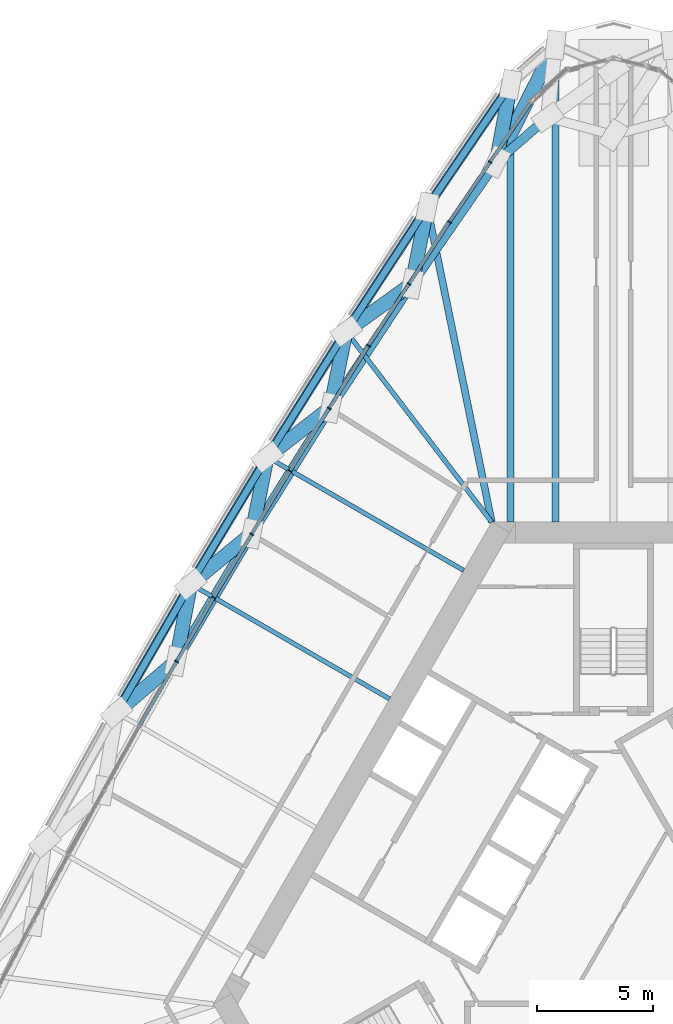
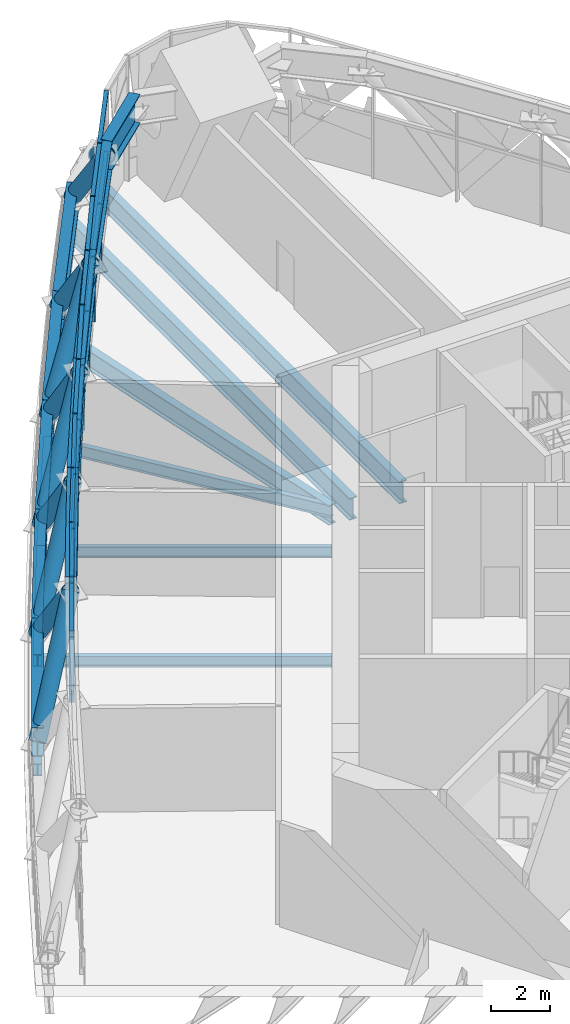
# One storey, part 7 of 43: 49 members, 11 beams, 1 element without a shape of its own.
"""IFC4 building model written with IfcOpenShell, lengths in metres."""

from ifc_helpers import new_model, si_unit, direction, frame, origin, origin_2d, place, context, subcontext, project, spatial, rectangle, hollow_circle, i_section, extrude, material, material_profile, profile_set, type_object, element, aggregate, save


model = new_model("IFC4")

# Units and contexts
model_context = context("Model", 3, precision=1e-05, world=origin(), true_north=direction((0.0, 1.0)))
body_context = subcontext(model_context, "Body", "Model", "MODEL_VIEW")
ifc_project = project(units=[si_unit("LENGTHUNIT", "METRE"), si_unit("AREAUNIT", "SQUARE_METRE"), si_unit("VOLUMEUNIT", "CUBIC_METRE"), si_unit("PLANEANGLEUNIT", "RADIAN"), si_unit("MASSUNIT", "GRAM", prefix="KILO")], contexts=[model_context])

# Site, building, storey
site_placement = place(None, origin())
site = spatial("IfcSite", under=ifc_project, at=site_placement, CompositionType="ELEMENT")
building_placement = place(site_placement, origin())
building = spatial("IfcBuilding", under=site, at=building_placement, Name="Mestral Congress Tower", CompositionType="ELEMENT")
storey_placement = place(building_placement, frame((0.0, 0.0, 78.300048828125)))
storey = spatial("IfcBuildingStorey", under=building, at=storey_placement, Name="L18", CompositionType="ELEMENT", Elevation=78.300048828125)

# Members
ifc_material_1 = material(Name="Steel S355", Category="steel")
ifc_material_profile_1 = material_profile(ifc_material_1, i_section(OverallWidth=0.39990234375, OverallDepth=1.199951171875, WebThickness=0.02001953125, FlangeThickness=0.0400390625, FilletRadius=0.010009765625, at=origin_2d()), Name="WPG 1200")
ifc_profile_set_1 = profile_set([ifc_material_profile_1], Name="Steel S355")
member_type_1 = type_object("IfcMemberType", Name="Belt chord WPG 1200 S355", PredefinedType="CHORD", material=ifc_profile_set_1)
member_1_placement = place(storey_placement, frame((-4.43603515625, 35.7783203125, 0.599853515625), z_axis=(-0.562597971021, -0.826730622998, 0.0), x_axis=(0.826730622998, -0.562597971021, 0.0)))
element("IfcMember", 1, at=member_1_placement, inside=storey, type_object=member_type_1, Name="MB-L18-BC1-W00", PredefinedType="CHORD", context=body_context, shape_type="SweptSolid", body=[
    extrude(i_section(OverallWidth=0.39990234375, OverallDepth=1.199951171875, WebThickness=0.02001953125, FlangeThickness=0.0400390625, FilletRadius=0.010009765625, at=origin_2d()), origin(), (0.0, 0.0, 1.0), 6.39990234375),
])
member_2_placement = place(storey_placement, frame((-8.03662109375, 30.4873046875, 0.599853515625), z_axis=(-0.547248335203, -0.836970285982, 0.0), x_axis=(0.836970285982, -0.547248335203, 0.0)))
element("IfcMember", 2, at=member_2_placement, inside=storey, type_object=member_type_1, Name="MB-L18-BC1-W01", PredefinedType="CHORD", context=body_context, shape_type="SweptSolid", body=[
    extrude(i_section(OverallWidth=0.39990234375, OverallDepth=1.199951171875, WebThickness=0.02001953125, FlangeThickness=0.0400390625, FilletRadius=0.010009765625, at=origin_2d()), origin(), (0.0, 0.0, 1.0), 6.400146484375),
])
for number, where, z_axis, x_axis, name in (
    (3, (-11.5390625, 25.130615234375, 0.599853515625), (-0.53166441358, -0.846955105855, 0.0), (0.846955105855, -0.53166441358, 0.0), "MB-L18-BC1-W02"),
    (4, (-14.941650390625, 19.710205078125, 0.599853515625), (-0.515908763091, -0.85664353623, 0.0), (0.85664353623, -0.515908763091, 0.0), "MB-L18-BC1-W03"),
    (5, (-18.243408203125, 14.227783203125, 0.599853515625), (-0.499999833739, -0.866025499775, 0.0), (0.866025499775, -0.499999833739, 0.0), "MB-L18-BC1-W04"),
):
    element("IfcMember", number, at=place(storey_placement, frame(where, z_axis=z_axis, x_axis=x_axis)), inside=storey, type_object=member_type_1, Name=name, PredefinedType="CHORD", context=body_context, shape_type="SweptSolid", body=[
        extrude(i_section(OverallWidth=0.39990234375, OverallDepth=1.199951171875, WebThickness=0.02001953125, FlangeThickness=0.0400390625, FilletRadius=0.010009765625, at=origin_2d()), origin(), (0.0, 0.0, 1.0), 6.39990234375),
    ])
member_3_placement = place(storey_placement, frame((-2.845703125, 34.35693359375, 4.550048828125), z_axis=(-0.754932095534, -0.6558029667, 0.0), x_axis=(0.6558029667, -0.754932095534, 0.0)))
element("IfcMember", 6, at=member_3_placement, inside=storey, type_object=member_type_1, Name="MB-L18-TC1-N3", PredefinedType="CHORD", context=body_context, shape_type="SweptSolid", body=[
    extrude(i_section(OverallWidth=0.39990234375, OverallDepth=1.199951171875, WebThickness=0.02001953125, FlangeThickness=0.0400390625, FilletRadius=0.010009765625, at=origin_2d()), origin(), (0.0, 0.0, 1.0), 2.92822265625),
])
for number, where, z_axis, x_axis, name in (
    (7, (-5.056396484375, 32.4365234375, 4.550048828125), (-0.569132611813, -0.822245748041, 0.0), (0.822245748041, -0.569132611813, 0.0), "MB-L18-TC1-W00"),
    (8, (-8.69873046875, 27.17431640625, 4.550048828125), (-0.549751718, -0.835328108324, 0.0), (0.835328108324, -0.549751718, 0.0), "MB-L18-TC1-W01"),
    (9, (-12.217041015625, 21.828369140625, 4.550048828125), (-0.530067519081, -0.847955438225, 0.0), (0.847955438225, -0.530067519081, 0.0), "MB-L18-TC1-W02"),
    (10, (-15.609375, 16.401611328125, 4.550048828125), (-0.510062734342, -0.860137202448, 0.0), (0.860137202448, -0.510062734342, 0.0), "MB-L18-TC1-W03"),
):
    element("IfcMember", number, at=place(storey_placement, frame(where, z_axis=z_axis, x_axis=x_axis)), inside=storey, type_object=member_type_1, Name=name, PredefinedType="CHORD", context=body_context, shape_type="SweptSolid", body=[
        extrude(i_section(OverallWidth=0.39990234375, OverallDepth=1.199951171875, WebThickness=0.02001953125, FlangeThickness=0.0400390625, FilletRadius=0.010009765625, at=origin_2d()), origin(), (0.0, 0.0, 1.0), 6.39990234375),
    ])
ifc_material_profile_2 = material_profile(ifc_material_1, hollow_circle(Radius=0.304931640625, WallThickness=0.02490234375, at=origin_2d()), Name="CHS 610x25")
ifc_profile_set_2 = profile_set([ifc_material_profile_2], Name="Steel S355")
member_type_2 = type_object("IfcMemberType", Name="Belt diagonal CHS 610x25 S355", PredefinedType="BRACE", material=ifc_profile_set_2)
member_4_placement = place(storey_placement, frame((-2.503173828125, 37.483642578125, 0.599853515625), z_axis=(-0.370085128824, -0.731571033484, 0.572573855839), x_axis=(0.892319603594, -0.451404170386, 0.0)))
element("IfcMember", 11, at=member_4_placement, inside=storey, type_object=member_type_2, Name="MD-L18-BD1-N3.W00", PredefinedType="BRACE", context=body_context, shape_type="SweptSolid", body=[
    extrude(hollow_circle(Radius=0.304931640625, WallThickness=0.02490234375, at=origin_2d()), origin(), (0.0, 0.0, 1.0), 6.89892578125),
])
member_5_placement = place(storey_placement, frame((-4.43603515625, 35.7783203125, 0.599853515625), z_axis=(-0.119044089764, -0.641273317861, 0.758021791568), x_axis=(0.983202365215, -0.182518790913, 0.0)))
element("IfcMember", 12, at=member_5_placement, inside=storey, type_object=member_type_2, Name="MD-L18-BD1-W00.W00", PredefinedType="BRACE", context=body_context, shape_type="SweptSolid", body=[
    extrude(hollow_circle(Radius=0.304931640625, WallThickness=0.02490234375, at=origin_2d()), origin(), (0.0, 0.0, 1.0), 5.211181640625),
])
member_6_placement = place(storey_placement, frame((-8.03662109375, 30.4873046875, 0.599853515625), z_axis=(-0.127379793677, -0.637368657892, 0.759957618621), x_axis=(0.980608459293, -0.195977165925, 0.0)))
element("IfcMember", 13, at=member_6_placement, inside=storey, type_object=member_type_2, Name="MD-L18-BD1-W01.W01", PredefinedType="BRACE", context=body_context, shape_type="SweptSolid", body=[
    extrude(hollow_circle(Radius=0.304931640625, WallThickness=0.02490234375, at=origin_2d()), origin(), (0.0, 0.0, 1.0), 5.197998046875),
])
member_7_placement = place(storey_placement, frame((-11.5390625, 25.130615234375, 0.599853515625), z_axis=(0.538232858456, 0.387274132554, 0.748548018722), x_axis=(-0.584052889906, 0.81171560401, 0.0)))
element("IfcMember", 14, at=member_7_placement, inside=storey, type_object=member_type_2, Name="MD-L18-BD1-W02.W01", PredefinedType="BRACE", context=body_context, shape_type="SweptSolid", body=[
    extrude(hollow_circle(Radius=0.304931640625, WallThickness=0.02490234375, at=origin_2d()), origin(), (0.0, 0.0, 1.0), 5.277099609375),
])
member_8_placement = place(storey_placement, frame((-11.5390625, 25.130615234375, 0.599853515625), z_axis=(-0.130553138741, -0.635888280377, 0.76065890703), x_axis=(0.979567960434, -0.201113427926, 0.0)))
element("IfcMember", 15, at=member_8_placement, inside=storey, type_object=member_type_2, Name="MD-L18-BD1-W02.W02", PredefinedType="BRACE", context=body_context, shape_type="SweptSolid", body=[
    extrude(hollow_circle(Radius=0.304931640625, WallThickness=0.02490234375, at=origin_2d()), origin(), (0.0, 0.0, 1.0), 5.193115234375),
])
member_9_placement = place(storey_placement, frame((-14.941650390625, 19.710205078125, 0.599853515625), z_axis=(0.51942892628, 0.403814100753, 0.753078855484), x_axis=(-0.613764285446, 0.789489329827, 0.0)))
element("IfcMember", 16, at=member_9_placement, inside=storey, type_object=member_type_2, Name="MD-L18-BD1-W03.W02", PredefinedType="BRACE", context=body_context, shape_type="SweptSolid", body=[
    extrude(hollow_circle(Radius=0.304931640625, WallThickness=0.02490234375, at=origin_2d()), origin(), (0.0, 0.0, 1.0), 5.245361328125),
])
member_10_placement = place(storey_placement, frame((-14.941650390625, 19.710205078125, 0.599853515625), z_axis=(-0.128511534315, -0.636778176612, 0.760262020187), x_axis=(0.980236999269, -0.197826755682, 0.0)))
element("IfcMember", 17, at=member_10_placement, inside=storey, type_object=member_type_2, Name="MD-L18-BD1-W03.W03", PredefinedType="BRACE", context=body_context, shape_type="SweptSolid", body=[
    extrude(hollow_circle(Radius=0.304931640625, WallThickness=0.02490234375, at=origin_2d()), origin(), (0.0, 0.0, 1.0), 5.19580078125),
])
member_11_placement = place(storey_placement, frame((-18.243408203125, 14.227783203125, 0.599853515625), z_axis=(0.504425427225, 0.416294745019, 0.756474502966), x_axis=(-0.636513742391, 0.771265360137, 0.0)))
element("IfcMember", 18, at=member_11_placement, inside=storey, type_object=member_type_2, Name="MD-L18-BD1-W04.W03", PredefinedType="BRACE", context=body_context, shape_type="SweptSolid", body=[
    extrude(hollow_circle(Radius=0.304931640625, WallThickness=0.02490234375, at=origin_2d()), origin(), (0.0, 0.0, 1.0), 5.221923828125),
])
for number, where, z_axis, x_axis, name in (
    (19, (-18.243408203125, 14.227783203125, 0.599853515625), (-0.12109689042, -0.639909362079, 0.758848833072), (0.982561001482, -0.185940523734, 0.0), "MD-L18-BD1-W04.W04"),
    (20, (-21.443359375, 8.685302734375, 0.599853515625), (0.493628286394, 0.424825179873, 0.758850895379), (-0.652308309705, 0.757953738093, 0.0), "MD-L18-BD1-W05.W04"),
):
    element("IfcMember", number, at=place(storey_placement, frame(where, z_axis=z_axis, x_axis=x_axis)), inside=storey, type_object=member_type_2, Name=name, PredefinedType="BRACE", context=body_context, shape_type="SweptSolid", body=[
        extrude(hollow_circle(Radius=0.304931640625, WallThickness=0.02490234375, at=origin_2d()), origin(), (0.0, 0.0, 1.0), 5.20556640625),
    ])

# Curtain wall, members
ifc_material_2 = material(Name="Clear low-emissivity double glazing", Category="glass")
curtain_wall_type = type_object("IfcCurtainWallType", Name="Facade refuge band screen", PredefinedType="USERDEFINED", material=ifc_material_2)
curtain_wall_placement = place(storey_placement, origin())
curtain_wall = element("IfcCurtainWall", 21, at=curtain_wall_placement, inside=storey, type_object=curtain_wall_type, Name="Facade refuge band screen face 3", ObjectType="CURTAIN WALL", PredefinedType="USERDEFINED")
ifc_material_3 = material(Name="Anodised aluminium", Category="aluminium")
ifc_material_profile_3 = material_profile(ifc_material_3, rectangle(XDim=0.179931640625, YDim=0.06005859375, at=origin_2d()), Name="CW3 mullion 180 x 60")
ifc_profile_set_3 = profile_set([ifc_material_profile_3], Name="Anodised aluminium")
member_type_3 = type_object("IfcMemberType", Name="Facade refuge band screen mullion", PredefinedType="MULLION", material=ifc_profile_set_3)
member_12_placement = place(storey_placement, frame((-5.3232421875, 32.430419921875, 0.0), z_axis=(0.0, 0.0, 1.0), x_axis=(-0.826719388137, 0.562614480153, 0.0)))
member_12 = element("IfcMember", 22, at=member_12_placement, type_object=member_type_3, Name="Facade refuge band screen mullion", PredefinedType="MULLION", context=body_context, shape_type="SweptSolid", body=[
    extrude(rectangle(XDim=0.179931640625, YDim=0.06005859375, at=origin_2d()), origin(), (0.0, 0.0, 1.0), 5.14990234375),
])
member_13_placement = place(storey_placement, frame((-7.080078125, 29.84912109375, 0.0), z_axis=(0.0, 0.0, 1.0), x_axis=(-0.831884391755, 0.554948969505, 0.0)))
member_13 = element("IfcMember", 23, at=member_13_placement, type_object=member_type_3, Name="Facade refuge band screen mullion", PredefinedType="MULLION", context=body_context, shape_type="SweptSolid", body=[
    extrude(rectangle(XDim=0.179931640625, YDim=0.06005859375, at=origin_2d()), origin(), (0.0, 0.0, 1.0), 5.14990234375),
])
member_14_placement = place(storey_placement, frame((-8.8251953125, 27.1796875, 0.0), z_axis=(0.0, 0.0, 1.0), x_axis=(-0.836978321403, 0.547236045507, 0.0)))
member_14 = element("IfcMember", 24, at=member_14_placement, type_object=member_type_3, Name="Facade refuge band screen mullion", PredefinedType="MULLION", context=body_context, shape_type="SweptSolid", body=[
    extrude(rectangle(XDim=0.179931640625, YDim=0.06005859375, at=origin_2d()), origin(), (0.0, 0.0, 1.0), 5.14990234375),
])
member_15_placement = place(storey_placement, frame((-10.570556640625, 24.51025390625, 0.0), z_axis=(0.0, 0.0, 1.0), x_axis=(-0.84200074187, 0.539476367129, 0.0)))
member_15 = element("IfcMember", 25, at=member_15_placement, type_object=member_type_3, Name="Facade refuge band screen mullion", PredefinedType="MULLION", context=body_context, shape_type="SweptSolid", body=[
    extrude(rectangle(XDim=0.179931640625, YDim=0.06005859375, at=origin_2d()), origin(), (0.0, 0.0, 1.0), 5.14990234375),
])
member_16_placement = place(storey_placement, frame((-12.266357421875, 21.80908203125, 0.0), z_axis=(0.0, 0.0, 1.0), x_axis=(-0.846951224053, 0.531670597339, 0.0)))
member_16 = element("IfcMember", 26, at=member_16_placement, type_object=member_type_3, Name="Facade refuge band screen mullion", PredefinedType="MULLION", context=body_context, shape_type="SweptSolid", body=[
    extrude(rectangle(XDim=0.179931640625, YDim=0.06005859375, at=origin_2d()), origin(), (0.0, 0.0, 1.0), 5.14990234375),
])
member_17_placement = place(storey_placement, frame((-13.9619140625, 19.10791015625, 0.0), z_axis=(0.0, 0.0, 1.0), x_axis=(-0.851829344998, 0.52381940304, 0.0)))
member_17 = element("IfcMember", 27, at=member_17_placement, type_object=member_type_3, Name="Facade refuge band screen mullion", PredefinedType="MULLION", context=body_context, shape_type="SweptSolid", body=[
    extrude(rectangle(XDim=0.179931640625, YDim=0.06005859375, at=origin_2d()), origin(), (0.0, 0.0, 1.0), 5.14990234375),
])
member_18_placement = place(storey_placement, frame((-15.607421875, 16.375732421875, 0.0), z_axis=(0.0, 0.0, 1.0), x_axis=(-0.856634687929, 0.515923455017, 0.0)))
member_18 = element("IfcMember", 28, at=member_18_placement, type_object=member_type_3, Name="Facade refuge band screen mullion", PredefinedType="MULLION", context=body_context, shape_type="SweptSolid", body=[
    extrude(rectangle(XDim=0.179931640625, YDim=0.06005859375, at=origin_2d()), origin(), (0.0, 0.0, 1.0), 5.14990234375),
])
member_19_placement = place(storey_placement, frame((-17.252685546875, 13.6435546875, 0.0), z_axis=(0.0, 0.0, 1.0), x_axis=(-0.861366842292, 0.507983427879, 0.0)))
member_19 = element("IfcMember", 29, at=member_19_placement, type_object=member_type_3, Name="Facade refuge band screen mullion", PredefinedType="MULLION", context=body_context, shape_type="SweptSolid", body=[
    extrude(rectangle(XDim=0.179931640625, YDim=0.06005859375, at=origin_2d()), origin(), (0.0, 0.0, 1.0), 5.14990234375),
])
member_20_placement = place(storey_placement, frame((-18.847412109375, 10.881591796875, 0.0), z_axis=(0.0, 0.0, 1.0), x_axis=(-0.866025403784, 0.5, 0.0)))
member_20 = element("IfcMember", 30, at=member_20_placement, type_object=member_type_3, Name="Facade refuge band screen mullion", PredefinedType="MULLION", context=body_context, shape_type="SweptSolid", body=[
    extrude(rectangle(XDim=0.179931640625, YDim=0.06005859375, at=origin_2d()), origin(), (0.0, 0.0, 1.0), 5.14990234375),
])
ifc_material_profile_4 = material_profile(ifc_material_3, rectangle(XDim=0.14990234375, YDim=0.1201171875, at=origin_2d()), Name="CW3 transom 150 x 120")
ifc_profile_set_4 = profile_set([ifc_material_profile_4], Name="Anodised aluminium")
member_type_4 = type_object("IfcMemberType", Name="Facade refuge band screen transom", PredefinedType="USERDEFINED", material=ifc_profile_set_4)
member_21_placement = place(storey_placement, frame((-3.58349609375, 34.98681640625, 2.599853515625), z_axis=(-0.562604367309, -0.826726270228, 0.0), x_axis=(0.826726270228, -0.562604367309, 0.0)))
member_21 = element("IfcMember", 31, at=member_21_placement, type_object=member_type_4, Name="Facade refuge band screen transom", ObjectType="TRANSOM", PredefinedType="USERDEFINED", context=body_context, shape_type="SweptSolid", body=[
    extrude(rectangle(XDim=0.14990234375, YDim=0.1201171875, at=origin_2d()), origin(), (0.0, 0.0, 1.0), 3.062255859375),
])
member_22_placement = place(storey_placement, frame((-3.58349609375, 34.98681640625, 5.08984375), z_axis=(-0.562604367309, -0.826726270228, 0.0), x_axis=(0.826726270228, -0.562604367309, 0.0)))
member_22 = element("IfcMember", 32, at=member_22_placement, type_object=member_type_4, Name="Facade refuge band screen transom", ObjectType="TRANSOM", PredefinedType="USERDEFINED", context=body_context, shape_type="SweptSolid", body=[
    extrude(rectangle(XDim=0.14990234375, YDim=0.1201171875, at=origin_2d()), origin(), (0.0, 0.0, 1.0), 3.062255859375),
])
member_23_placement = place(storey_placement, frame((-5.340087890625, 32.405517578125, 2.599853515625), z_axis=(-0.562604367309, -0.826726270228, 0.0), x_axis=(0.826726270228, -0.562604367309, 0.0)))
member_23 = element("IfcMember", 33, at=member_23_placement, type_object=member_type_4, Name="Facade refuge band screen transom", ObjectType="TRANSOM", PredefinedType="USERDEFINED", context=body_context, shape_type="SweptSolid", body=[
    extrude(rectangle(XDim=0.14990234375, YDim=0.1201171875, at=origin_2d()), origin(), (0.0, 0.0, 1.0), 3.062255859375),
])
member_24_placement = place(storey_placement, frame((-5.340087890625, 32.405517578125, 5.08984375), z_axis=(-0.562604367309, -0.826726270228, 0.0), x_axis=(0.826726270228, -0.562604367309, 0.0)))
member_24 = element("IfcMember", 34, at=member_24_placement, type_object=member_type_4, Name="Facade refuge band screen transom", ObjectType="TRANSOM", PredefinedType="USERDEFINED", context=body_context, shape_type="SweptSolid", body=[
    extrude(rectangle(XDim=0.14990234375, YDim=0.1201171875, at=origin_2d()), origin(), (0.0, 0.0, 1.0), 3.062255859375),
])
member_25_placement = place(storey_placement, frame((-7.096435546875, 29.823974609375, 2.599853515625), z_axis=(-0.547188405714, -0.83700946748, 0.0), x_axis=(0.83700946748, -0.547188405714, 0.0)))
member_25 = element("IfcMember", 35, at=member_25_placement, type_object=member_type_4, Name="Facade refuge band screen transom", ObjectType="TRANSOM", PredefinedType="USERDEFINED", context=body_context, shape_type="SweptSolid", body=[
    extrude(rectangle(XDim=0.14990234375, YDim=0.1201171875, at=origin_2d()), origin(), (0.0, 0.0, 1.0), 3.12939453125),
])
member_26_placement = place(storey_placement, frame((-7.096435546875, 29.823974609375, 5.08984375), z_axis=(-0.547188405714, -0.83700946748, 0.0), x_axis=(0.83700946748, -0.547188405714, 0.0)))
member_26 = element("IfcMember", 36, at=member_26_placement, type_object=member_type_4, Name="Facade refuge band screen transom", ObjectType="TRANSOM", PredefinedType="USERDEFINED", context=body_context, shape_type="SweptSolid", body=[
    extrude(rectangle(XDim=0.14990234375, YDim=0.1201171875, at=origin_2d()), origin(), (0.0, 0.0, 1.0), 3.12939453125),
])
member_27_placement = place(storey_placement, frame((-8.841796875, 27.154541015625, 2.599853515625), z_axis=(-0.54722413799, -0.836986106695, 0.0), x_axis=(0.836986106695, -0.54722413799, 0.0)))
member_27 = element("IfcMember", 37, at=member_27_placement, type_object=member_type_4, Name="Facade refuge band screen transom", ObjectType="TRANSOM", PredefinedType="USERDEFINED", context=body_context, shape_type="SweptSolid", body=[
    extrude(rectangle(XDim=0.14990234375, YDim=0.1201171875, at=origin_2d()), origin(), (0.0, 0.0, 1.0), 3.129150390625),
])
member_28_placement = place(storey_placement, frame((-8.841796875, 27.154541015625, 5.08984375), z_axis=(-0.54722413799, -0.836986106695, 0.0), x_axis=(0.836986106695, -0.54722413799, 0.0)))
member_28 = element("IfcMember", 38, at=member_28_placement, type_object=member_type_4, Name="Facade refuge band screen transom", ObjectType="TRANSOM", PredefinedType="USERDEFINED", context=body_context, shape_type="SweptSolid", body=[
    extrude(rectangle(XDim=0.14990234375, YDim=0.1201171875, at=origin_2d()), origin(), (0.0, 0.0, 1.0), 3.129150390625),
])
member_29_placement = place(storey_placement, frame((-10.586669921875, 24.48486328125, 2.599853515625), z_axis=(-0.531624978195, -0.846979859595, 0.0), x_axis=(0.846979859595, -0.531624978195, 0.0)))
member_29 = element("IfcMember", 39, at=member_29_placement, type_object=member_type_4, Name="Facade refuge band screen transom", ObjectType="TRANSOM", PredefinedType="USERDEFINED", context=body_context, shape_type="SweptSolid", body=[
    extrude(rectangle(XDim=0.14990234375, YDim=0.1201171875, at=origin_2d()), origin(), (0.0, 0.0, 1.0), 3.129150390625),
])
member_30_placement = place(storey_placement, frame((-10.586669921875, 24.48486328125, 5.08984375), z_axis=(-0.531624978195, -0.846979859595, 0.0), x_axis=(0.846979859595, -0.531624978195, 0.0)))
member_30 = element("IfcMember", 40, at=member_30_placement, type_object=member_type_4, Name="Facade refuge band screen transom", ObjectType="TRANSOM", PredefinedType="USERDEFINED", context=body_context, shape_type="SweptSolid", body=[
    extrude(rectangle(XDim=0.14990234375, YDim=0.1201171875, at=origin_2d()), origin(), (0.0, 0.0, 1.0), 3.129150390625),
])
member_31_placement = place(storey_placement, frame((-12.2822265625, 21.78369140625, 2.599853515625), z_axis=(-0.531680943953, -0.846944728915, 0.0), x_axis=(0.846944728915, -0.531680943953, 0.0)))
member_31 = element("IfcMember", 41, at=member_31_placement, type_object=member_type_4, Name="Facade refuge band screen transom", ObjectType="TRANSOM", PredefinedType="USERDEFINED", context=body_context, shape_type="SweptSolid", body=[
    extrude(rectangle(XDim=0.14990234375, YDim=0.1201171875, at=origin_2d()), origin(), (0.0, 0.0, 1.0), 3.12939453125),
])
member_32_placement = place(storey_placement, frame((-12.2822265625, 21.78369140625, 5.08984375), z_axis=(-0.531680943953, -0.846944728915, 0.0), x_axis=(0.846944728915, -0.531680943953, 0.0)))
member_32 = element("IfcMember", 42, at=member_32_placement, type_object=member_type_4, Name="Facade refuge band screen transom", ObjectType="TRANSOM", PredefinedType="USERDEFINED", context=body_context, shape_type="SweptSolid", body=[
    extrude(rectangle(XDim=0.14990234375, YDim=0.1201171875, at=origin_2d()), origin(), (0.0, 0.0, 1.0), 3.12939453125),
])
member_33_placement = place(storey_placement, frame((-13.977294921875, 19.08203125, 2.599853515625), z_axis=(-0.515929179549, -0.856631240202, 0.0), x_axis=(0.856631240202, -0.515929179549, 0.0)))
member_33 = element("IfcMember", 43, at=member_33_placement, type_object=member_type_4, Name="Facade refuge band screen transom", ObjectType="TRANSOM", PredefinedType="USERDEFINED", context=body_context, shape_type="SweptSolid", body=[
    extrude(rectangle(XDim=0.14990234375, YDim=0.1201171875, at=origin_2d()), origin(), (0.0, 0.0, 1.0), 3.12939453125),
])
member_34_placement = place(storey_placement, frame((-13.977294921875, 19.08203125, 5.08984375), z_axis=(-0.515929179549, -0.856631240202, 0.0), x_axis=(0.856631240202, -0.515929179549, 0.0)))
member_34 = element("IfcMember", 44, at=member_34_placement, type_object=member_type_4, Name="Facade refuge band screen transom", ObjectType="TRANSOM", PredefinedType="USERDEFINED", context=body_context, shape_type="SweptSolid", body=[
    extrude(rectangle(XDim=0.14990234375, YDim=0.1201171875, at=origin_2d()), origin(), (0.0, 0.0, 1.0), 3.12939453125),
])
member_35_placement = place(storey_placement, frame((-15.622802734375, 16.35009765625, 2.599853515625), z_axis=(-0.515894700776, -0.856652005024, 0.0), x_axis=(0.856652005024, -0.515894700776, 0.0)))
member_35 = element("IfcMember", 45, at=member_35_placement, type_object=member_type_4, Name="Facade refuge band screen transom", ObjectType="TRANSOM", PredefinedType="USERDEFINED", context=body_context, shape_type="SweptSolid", body=[
    extrude(rectangle(XDim=0.14990234375, YDim=0.1201171875, at=origin_2d()), origin(), (0.0, 0.0, 1.0), 3.129638671875),
])
member_36_placement = place(storey_placement, frame((-15.622802734375, 16.35009765625, 5.08984375), z_axis=(-0.515894700776, -0.856652005024, 0.0), x_axis=(0.856652005024, -0.515894700776, 0.0)))
member_36 = element("IfcMember", 46, at=member_36_placement, type_object=member_type_4, Name="Facade refuge band screen transom", ObjectType="TRANSOM", PredefinedType="USERDEFINED", context=body_context, shape_type="SweptSolid", body=[
    extrude(rectangle(XDim=0.14990234375, YDim=0.1201171875, at=origin_2d()), origin(), (0.0, 0.0, 1.0), 3.129638671875),
])
member_37_placement = place(storey_placement, frame((-17.267822265625, 13.61767578125, 2.599853515625), z_axis=(-0.500024108395, -0.866011484348, 0.0), x_axis=(0.866011484348, -0.500024108395, 0.0)))
member_37 = element("IfcMember", 47, at=member_37_placement, type_object=member_type_4, Name="Facade refuge band screen transom", ObjectType="TRANSOM", PredefinedType="USERDEFINED", context=body_context, shape_type="SweptSolid", body=[
    extrude(rectangle(XDim=0.14990234375, YDim=0.1201171875, at=origin_2d()), origin(), (0.0, 0.0, 1.0), 3.129150390625),
])
member_38_placement = place(storey_placement, frame((-17.267822265625, 13.61767578125, 5.08984375), z_axis=(-0.500024108395, -0.866011484348, 0.0), x_axis=(0.866011484348, -0.500024108395, 0.0)))
member_38 = element("IfcMember", 48, at=member_38_placement, type_object=member_type_4, Name="Facade refuge band screen transom", ObjectType="TRANSOM", PredefinedType="USERDEFINED", context=body_context, shape_type="SweptSolid", body=[
    extrude(rectangle(XDim=0.14990234375, YDim=0.1201171875, at=origin_2d()), origin(), (0.0, 0.0, 1.0), 3.129150390625),
])
member_39_placement = place(storey_placement, frame((-18.862548828125, 10.855712890625, 2.599853515625), z_axis=(-0.499990325971, -0.866030989016, 0.0), x_axis=(0.866030989016, -0.499990325971, 0.0)))
member_39 = element("IfcMember", 49, at=member_39_placement, type_object=member_type_4, Name="Facade refuge band screen transom", ObjectType="TRANSOM", PredefinedType="USERDEFINED", context=body_context, shape_type="SweptSolid", body=[
    extrude(rectangle(XDim=0.14990234375, YDim=0.1201171875, at=origin_2d()), origin(), (0.0, 0.0, 1.0), 3.12939453125),
])
member_40_placement = place(storey_placement, frame((-18.862548828125, 10.855712890625, 5.08984375), z_axis=(-0.499990325971, -0.866030989016, 0.0), x_axis=(0.866030989016, -0.499990325971, 0.0)))
member_40 = element("IfcMember", 50, at=member_40_placement, type_object=member_type_4, Name="Facade refuge band screen transom", ObjectType="TRANSOM", PredefinedType="USERDEFINED", context=body_context, shape_type="SweptSolid", body=[
    extrude(rectangle(XDim=0.14990234375, YDim=0.1201171875, at=origin_2d()), origin(), (0.0, 0.0, 1.0), 3.12939453125),
])
aggregate(curtain_wall, [member_12, member_13, member_14, member_15, member_16, member_17, member_18, member_19, member_20, member_21, member_22, member_23, member_24, member_25, member_26, member_27, member_28, member_29, member_30, member_31, member_32, member_33, member_34, member_35, member_36, member_37, member_38, member_39, member_40])

# Beams
ifc_material_profile_5 = material_profile(ifc_material_1, i_section(OverallWidth=0.300048828125, OverallDepth=0.800048828125, WebThickness=0.017578125, FlangeThickness=0.032958984375, FilletRadius=0.030029296875, at=origin_2d()), Name="HEB 800")
ifc_profile_set_5 = profile_set([ifc_material_profile_5], Name="Steel S355")
beam_type_1 = type_object("IfcBeamType", Name="Floor beam HEB 800 S355", PredefinedType="BEAM", material=ifc_profile_set_5)
beam_1_placement = place(storey_placement, frame((-8.03662109375, 30.4873046875, -0.699951171875), z_axis=(0.200636612505, -0.979665733668, 0.0), x_axis=(0.979665733668, 0.200636612505, 0.0)))
element("IfcBeam", 51, at=beam_1_placement, inside=storey, type_object=beam_type_1, Name="BM-L18-RB1-W01", PredefinedType="BEAM", context=body_context, shape_type="SweptSolid", body=[
    extrude(i_section(OverallWidth=0.300048828125, OverallDepth=0.800048828125, WebThickness=0.017578125, FlangeThickness=0.032958984375, FilletRadius=0.030029296875, at=origin_2d()), origin(), (0.0, 0.0, 1.0), 13.869384765625),
])
ifc_material_profile_6 = material_profile(ifc_material_1, i_section(OverallWidth=0.300048828125, OverallDepth=0.89990234375, WebThickness=0.0185546875, FlangeThickness=0.034912109375, FilletRadius=0.030029296875, at=origin_2d()), Name="HEB 900")
ifc_profile_set_6 = profile_set([ifc_material_profile_6], Name="Steel S355")
beam_type_2 = type_object("IfcBeamType", Name="Floor beam HEB 900 S355", PredefinedType="BEAM", material=ifc_profile_set_6)
beam_2_placement = place(storey_placement, frame((-2.503173828125, 37.483642578125, -0.75), z_axis=(0.0, -1.0, 0.0), x_axis=(1.0, 0.0, 0.0)))
element("IfcBeam", 52, at=beam_2_placement, inside=storey, type_object=beam_type_2, Name="BM-L18-RB1-N3", PredefinedType="BEAM", context=body_context, shape_type="SweptSolid", body=[
    extrude(i_section(OverallWidth=0.300048828125, OverallDepth=0.89990234375, WebThickness=0.0185546875, FlangeThickness=0.034912109375, FilletRadius=0.030029296875, at=origin_2d()), origin(), (0.0, 0.0, 1.0), 20.583740234375),
])
beam_3_placement = place(storey_placement, frame((-4.43603515625, 35.7783203125, -0.75), z_axis=(0.0, -1.0, 0.0), x_axis=(1.0, 0.0, 0.0)))
element("IfcBeam", 53, at=beam_3_placement, inside=storey, type_object=beam_type_2, Name="BM-L18-RB1-W00", PredefinedType="BEAM", context=body_context, shape_type="SweptSolid", body=[
    extrude(i_section(OverallWidth=0.300048828125, OverallDepth=0.89990234375, WebThickness=0.0185546875, FlangeThickness=0.034912109375, FilletRadius=0.030029296875, at=origin_2d()), origin(), (0.0, 0.0, 1.0), 18.87841796875),
])
ifc_material_profile_7 = material_profile(ifc_material_1, i_section(OverallWidth=0.18994140625, OverallDepth=0.449951171875, WebThickness=0.009521484375, FlangeThickness=0.0146484375, FilletRadius=0.02099609375, at=origin_2d()), Name="IPE 450")
ifc_profile_set_7 = profile_set([ifc_material_profile_7], Name="Steel S355")
beam_type_3 = type_object("IfcBeamType", Name="Floor beam IPE 450 S355", PredefinedType="BEAM", material=ifc_profile_set_7)
beam_4_placement = place(storey_placement, frame((-14.941650390625, 19.710205078125, -0.525146484375), z_axis=(0.866025782648, -0.499999343788, 0.0), x_axis=(0.499999343788, 0.866025782648, 0.0)))
element("IfcBeam", 54, at=beam_4_placement, inside=storey, type_object=beam_type_3, Name="BM-L18-RB1-W03", PredefinedType="BEAM", context=body_context, shape_type="SweptSolid", body=[
    extrude(i_section(OverallWidth=0.18994140625, OverallDepth=0.449951171875, WebThickness=0.009521484375, FlangeThickness=0.0146484375, FilletRadius=0.02099609375, at=origin_2d()), origin(), (0.0, 0.0, 1.0), 9.794921875),
])
beam_5_placement = place(storey_placement, frame((-18.243408203125, 14.227783203125, -0.525146484375), z_axis=(0.866024815816, -0.500001018391, 0.0), x_axis=(0.500001018391, 0.866024815816, 0.0)))
element("IfcBeam", 55, at=beam_5_placement, inside=storey, type_object=beam_type_3, Name="BM-L18-RB1-W04", PredefinedType="BEAM", context=body_context, shape_type="SweptSolid", body=[
    extrude(i_section(OverallWidth=0.18994140625, OverallDepth=0.449951171875, WebThickness=0.009521484375, FlangeThickness=0.0146484375, FilletRadius=0.02099609375, at=origin_2d()), origin(), (0.0, 0.0, 1.0), 9.9130859375),
])
ifc_material_profile_8 = material_profile(ifc_material_1, i_section(OverallWidth=0.199951171875, OverallDepth=0.5, WebThickness=0.01025390625, FlangeThickness=0.01611328125, FilletRadius=0.02099609375, at=origin_2d()), Name="IPE 500")
ifc_profile_set_8 = profile_set([ifc_material_profile_8], Name="Steel S355")
beam_type_4 = type_object("IfcBeamType", Name="Floor beam IPE 500 S355", PredefinedType="BEAM", material=ifc_profile_set_8)
beam_6_placement = place(storey_placement, frame((-11.5390625, 25.130615234375, -0.550048828125), z_axis=(0.606906563916, -0.794773189454, 0.0), x_axis=(0.794773189454, 0.606906563916, 0.0)))
element("IfcBeam", 56, at=beam_6_placement, inside=storey, type_object=beam_type_4, Name="BM-L18-RB1-W02", PredefinedType="BEAM", context=body_context, shape_type="SweptSolid", body=[
    extrude(i_section(OverallWidth=0.199951171875, OverallDepth=0.5, WebThickness=0.01025390625, FlangeThickness=0.01611328125, FilletRadius=0.02099609375, at=origin_2d()), origin(), (0.0, 0.0, 1.0), 10.35595703125),
])
ifc_material_profile_9 = material_profile(ifc_material_1, i_section(OverallWidth=0.300048828125, OverallDepth=0.489990234375, WebThickness=0.011962890625, FlangeThickness=0.02294921875, FilletRadius=0.027099609375, at=origin_2d()), Name="HEA 500")
ifc_profile_set_9 = profile_set([ifc_material_profile_9], Name="Steel S355")
beam_type_5 = type_object("IfcBeamType", Name="Spandrel beam HEA 500 S355", PredefinedType="BEAM", material=ifc_profile_set_9)
beam_7_placement = place(storey_placement, frame((-4.43603515625, 35.7783203125, -0.545166015625), z_axis=(-0.562597971021, -0.826730622998, 0.0), x_axis=(0.826730622998, -0.562597971021, 0.0)))
element("IfcBeam", 57, at=beam_7_placement, inside=storey, type_object=beam_type_5, Name="SP-L18-SB1-W00", PredefinedType="BEAM", context=body_context, shape_type="SweptSolid", body=[
    extrude(i_section(OverallWidth=0.300048828125, OverallDepth=0.489990234375, WebThickness=0.011962890625, FlangeThickness=0.02294921875, FilletRadius=0.027099609375, at=origin_2d()), origin(), (0.0, 0.0, 1.0), 6.39990234375),
])
beam_8_placement = place(storey_placement, frame((-8.03662109375, 30.4873046875, -0.545166015625), z_axis=(-0.547248335203, -0.836970285982, 0.0), x_axis=(0.836970285982, -0.547248335203, 0.0)))
element("IfcBeam", 58, at=beam_8_placement, inside=storey, type_object=beam_type_5, Name="SP-L18-SB1-W01", PredefinedType="BEAM", context=body_context, shape_type="SweptSolid", body=[
    extrude(i_section(OverallWidth=0.300048828125, OverallDepth=0.489990234375, WebThickness=0.011962890625, FlangeThickness=0.02294921875, FilletRadius=0.027099609375, at=origin_2d()), origin(), (0.0, 0.0, 1.0), 6.400146484375),
])
for number, where, z_axis, x_axis, name in (
    (59, (-11.5390625, 25.130615234375, -0.545166015625), (-0.53166441358, -0.846955105855, 0.0), (0.846955105855, -0.53166441358, 0.0), "SP-L18-SB1-W02"),
    (60, (-14.941650390625, 19.710205078125, -0.545166015625), (-0.515908763091, -0.85664353623, 0.0), (0.85664353623, -0.515908763091, 0.0), "SP-L18-SB1-W03"),
    (61, (-18.243408203125, 14.227783203125, -0.545166015625), (-0.499999833739, -0.866025499775, 0.0), (0.866025499775, -0.499999833739, 0.0), "SP-L18-SB1-W04"),
):
    element("IfcBeam", number, at=place(storey_placement, frame(where, z_axis=z_axis, x_axis=x_axis)), inside=storey, type_object=beam_type_5, Name=name, PredefinedType="BEAM", context=body_context, shape_type="SweptSolid", body=[
        extrude(i_section(OverallWidth=0.300048828125, OverallDepth=0.489990234375, WebThickness=0.011962890625, FlangeThickness=0.02294921875, FilletRadius=0.027099609375, at=origin_2d()), origin(), (0.0, 0.0, 1.0), 6.39990234375),
    ])

save(model, "model.ifc")
